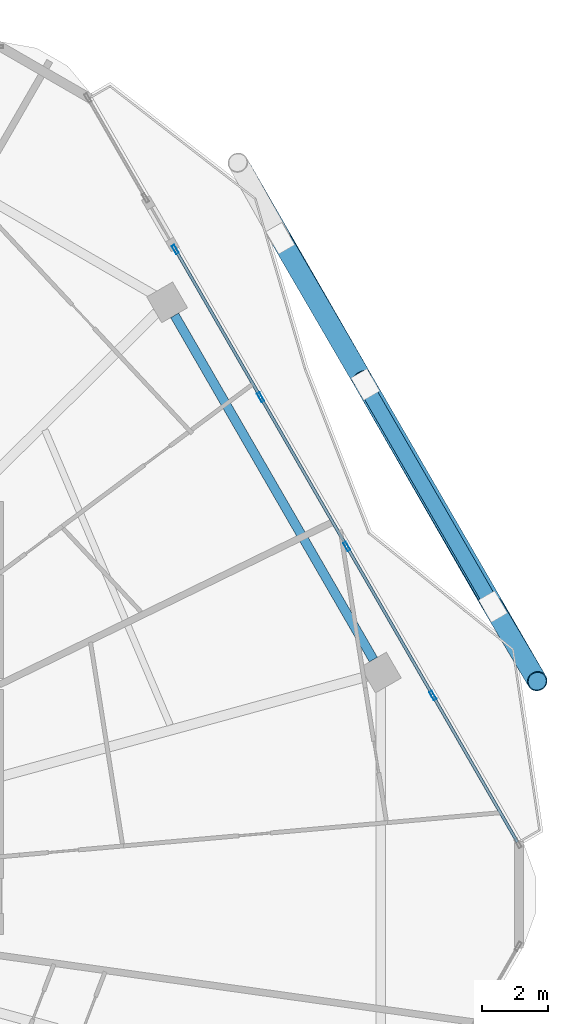
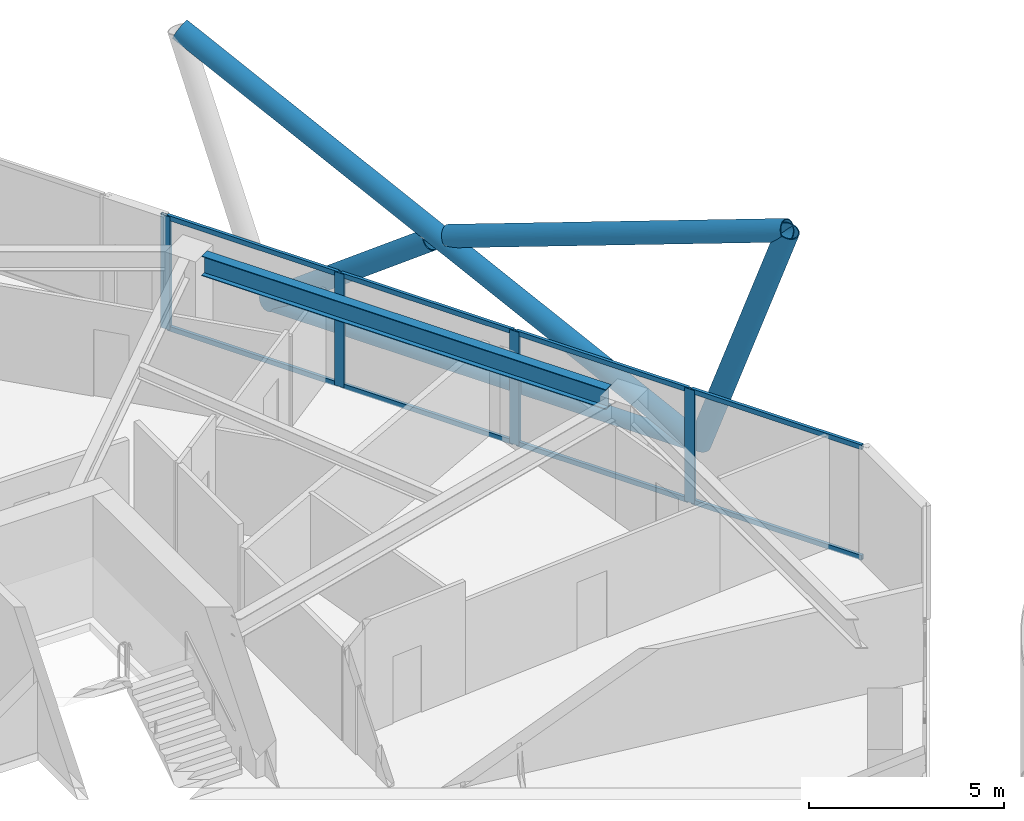
# One storey, part 17 of 27: 17 members, 1 beam, 1 element without a shape of its own.
"""IFC4 building model written with IfcOpenShell, lengths in metres."""

from ifc_helpers import new_model, si_unit, direction, frame, origin, origin_2d, place, context, subcontext, project, spatial, hollow_rectangle, hollow_circle, i_section, extrude, material, material_profile, profile_set, type_object, element, aggregate, save


model = new_model("IFC4")

# Units and contexts
model_context = context("Model", 3, precision=1e-05, world=origin(), true_north=direction((0.0, 1.0)))
body_context = subcontext(model_context, "Body", "Model", "MODEL_VIEW")
ifc_project = project(units=[si_unit("LENGTHUNIT", "METRE"), si_unit("AREAUNIT", "SQUARE_METRE"), si_unit("VOLUMEUNIT", "CUBIC_METRE"), si_unit("PLANEANGLEUNIT", "RADIAN"), si_unit("MASSUNIT", "GRAM", prefix="KILO")], contexts=[model_context])

# Site, building, storey
site_placement = place(None, origin())
site = spatial("IfcSite", under=ifc_project, at=site_placement, CompositionType="ELEMENT")
building_placement = place(site_placement, origin())
building = spatial("IfcBuilding", under=site, at=building_placement, Name="Zuhravey Tower", CompositionType="ELEMENT")
storey_placement = place(building_placement, frame((0.0, 0.0, 238.800048828125)))
storey = spatial("IfcBuildingStorey", under=building, at=storey_placement, Name="L60", CompositionType="ELEMENT", Elevation=238.800048828125)

# Curtain wall, members
ifc_material_1 = material(Name="Thermally broken anodised aluminium", Category="aluminium")
curtain_wall_type = type_object("IfcCurtainWallType", Name="Zone 3-4 High-Rise Curtain Wall CW4", PredefinedType="NOTDEFINED", material=ifc_material_1)
curtain_wall_placement = place(storey_placement, origin())
curtain_wall = element("IfcCurtainWall", 1, at=curtain_wall_placement, inside=storey, type_object=curtain_wall_type, Name="L60 CW4 CW-L60-F1-2", PredefinedType="NOTDEFINED")
ifc_material_2 = material(Name="Anodised aluminium", Category="aluminium")
ifc_material_profile_1 = material_profile(ifc_material_2, hollow_rectangle(XDim=0.090087890625, YDim=0.284912109375, WallThickness=0.0048828125, at=origin_2d()), Name="ALU-RHS-90x285x5")
ifc_profile_set_1 = profile_set([ifc_material_profile_1], Name="Anodised aluminium")
member_type_1 = type_object("IfcMemberType", Name="Curtain-Wall Mullion 90x180", PredefinedType="MULLION", material=ifc_profile_set_1)
member_1_placement = place(storey_placement, frame((54.288330078125, 51.45068359375, 0.0), z_axis=(0.0, 0.0, 1.0), x_axis=(0.866024178465, 0.50000212231, 0.0)))
member_1 = element("IfcMember", 2, at=member_1_placement, type_object=member_type_1, Name="CW4 mullion 1", PredefinedType="MULLION", context=body_context, shape_type="SweptSolid", body=[
    extrude(hollow_rectangle(XDim=0.090087890625, YDim=0.284912109375, WallThickness=0.0048828125, at=origin_2d()), origin(), (0.0, 0.0, 1.0), 3.550048828125),
])
member_2_placement = place(storey_placement, frame((56.860595703125, 46.995361328125, 0.0), z_axis=(0.0, 0.0, 1.0), x_axis=(0.866024178465, 0.50000212231, 0.0)))
member_2 = element("IfcMember", 3, at=member_2_placement, type_object=member_type_1, Name="CW4 mullion 2", PredefinedType="MULLION", context=body_context, shape_type="SweptSolid", body=[
    extrude(hollow_rectangle(XDim=0.090087890625, YDim=0.284912109375, WallThickness=0.0048828125, at=origin_2d()), origin(), (0.0, 0.0, 1.0), 3.550048828125),
])
member_3_placement = place(storey_placement, frame((59.45556640625, 42.501220703125, 0.0), z_axis=(0.0, 0.0, 1.0), x_axis=(0.866024178465, 0.50000212231, 0.0)))
member_3 = element("IfcMember", 4, at=member_3_placement, type_object=member_type_1, Name="CW4 mullion 3", PredefinedType="MULLION", context=body_context, shape_type="SweptSolid", body=[
    extrude(hollow_rectangle(XDim=0.090087890625, YDim=0.284912109375, WallThickness=0.0048828125, at=origin_2d()), origin(), (0.0, 0.0, 1.0), 3.550048828125),
])
member_4_placement = place(storey_placement, frame((62.05029296875, 38.0068359375, 0.0), z_axis=(0.0, 0.0, 1.0), x_axis=(0.866024178465, 0.50000212231, 0.0)))
member_4 = element("IfcMember", 5, at=member_4_placement, type_object=member_type_1, Name="CW4 mullion 4", PredefinedType="MULLION", context=body_context, shape_type="SweptSolid", body=[
    extrude(hollow_rectangle(XDim=0.090087890625, YDim=0.284912109375, WallThickness=0.0048828125, at=origin_2d()), origin(), (0.0, 0.0, 1.0), 3.550048828125),
])
ifc_material_profile_2 = material_profile(ifc_material_2, hollow_rectangle(XDim=0.090087890625, YDim=0.14990234375, WallThickness=0.0048828125, at=origin_2d()), Name="ALU-RHS-90x150x5")
ifc_profile_set_2 = profile_set([ifc_material_profile_2], Name="Anodised aluminium")
member_type_2 = type_object("IfcMemberType", Name="Curtain-Wall Transom 90x150", PredefinedType="USERDEFINED", material=ifc_profile_set_2)
member_5_placement = place(storey_placement, frame((54.310791015625, 51.411865234375, 0.044921875), z_axis=(0.500003972934, -0.866023109998, 0.0), x_axis=(0.866023109998, 0.500003972934, 0.0)))
member_5 = element("IfcMember", 6, at=member_5_placement, type_object=member_type_2, Name="CW4 transom 1.1", ObjectType="TRANSOM", PredefinedType="USERDEFINED", context=body_context, shape_type="SweptSolid", body=[
    extrude(hollow_rectangle(XDim=0.090087890625, YDim=0.14990234375, WallThickness=0.0048828125, at=origin_2d()), origin(), (0.0, 0.0, 1.0), 5.0546875),
])
member_6_placement = place(storey_placement, frame((54.310791015625, 51.411865234375, 3.5048828125), z_axis=(0.500003972934, -0.866023109998, 0.0), x_axis=(0.866023109998, 0.500003972934, 0.0)))
member_6 = element("IfcMember", 7, at=member_6_placement, type_object=member_type_2, Name="CW4 transom 1.2", ObjectType="TRANSOM", PredefinedType="USERDEFINED", context=body_context, shape_type="SweptSolid", body=[
    extrude(hollow_rectangle(XDim=0.090087890625, YDim=0.14990234375, WallThickness=0.0048828125, at=origin_2d()), origin(), (0.0, 0.0, 1.0), 5.0546875),
])
member_7_placement = place(storey_placement, frame((56.88330078125, 46.95654296875, 0.044921875), z_axis=(0.499990435942, -0.866030925526, 0.0), x_axis=(0.866030925526, 0.499990435942, 0.0)))
member_7 = element("IfcMember", 8, at=member_7_placement, type_object=member_type_2, Name="CW4 transom 2.1", ObjectType="TRANSOM", PredefinedType="USERDEFINED", context=body_context, shape_type="SweptSolid", body=[
    extrude(hollow_rectangle(XDim=0.090087890625, YDim=0.14990234375, WallThickness=0.0048828125, at=origin_2d()), origin(), (0.0, 0.0, 1.0), 5.099609375),
])
member_8_placement = place(storey_placement, frame((56.88330078125, 46.95654296875, 3.5048828125), z_axis=(0.499990435942, -0.866030925526, 0.0), x_axis=(0.866030925526, 0.499990435942, 0.0)))
member_8 = element("IfcMember", 9, at=member_8_placement, type_object=member_type_2, Name="CW4 transom 2.2", ObjectType="TRANSOM", PredefinedType="USERDEFINED", context=body_context, shape_type="SweptSolid", body=[
    extrude(hollow_rectangle(XDim=0.090087890625, YDim=0.14990234375, WallThickness=0.0048828125, at=origin_2d()), origin(), (0.0, 0.0, 1.0), 5.099609375),
])
member_9_placement = place(storey_placement, frame((59.47802734375, 42.462158203125, 0.044921875), z_axis=(0.499990435942, -0.866030925526, 0.0), x_axis=(0.866030925526, 0.499990435942, 0.0)))
member_9 = element("IfcMember", 10, at=member_9_placement, type_object=member_type_2, Name="CW4 transom 3.1", ObjectType="TRANSOM", PredefinedType="USERDEFINED", context=body_context, shape_type="SweptSolid", body=[
    extrude(hollow_rectangle(XDim=0.090087890625, YDim=0.14990234375, WallThickness=0.0048828125, at=origin_2d()), origin(), (0.0, 0.0, 1.0), 5.099609375),
])
member_10_placement = place(storey_placement, frame((59.47802734375, 42.462158203125, 3.5048828125), z_axis=(0.499990435942, -0.866030925526, 0.0), x_axis=(0.866030925526, 0.499990435942, 0.0)))
member_10 = element("IfcMember", 11, at=member_10_placement, type_object=member_type_2, Name="CW4 transom 3.2", ObjectType="TRANSOM", PredefinedType="USERDEFINED", context=body_context, shape_type="SweptSolid", body=[
    extrude(hollow_rectangle(XDim=0.090087890625, YDim=0.14990234375, WallThickness=0.0048828125, at=origin_2d()), origin(), (0.0, 0.0, 1.0), 5.099609375),
])
member_11_placement = place(storey_placement, frame((62.07275390625, 37.9677734375, 0.044921875), z_axis=(0.500003972934, -0.866023109998, 0.0), x_axis=(0.866023109998, 0.500003972934, 0.0)))
member_11 = element("IfcMember", 12, at=member_11_placement, type_object=member_type_2, Name="CW4 transom 4.1", ObjectType="TRANSOM", PredefinedType="USERDEFINED", context=body_context, shape_type="SweptSolid", body=[
    extrude(hollow_rectangle(XDim=0.090087890625, YDim=0.14990234375, WallThickness=0.0048828125, at=origin_2d()), origin(), (0.0, 0.0, 1.0), 5.0546875),
])
member_12_placement = place(storey_placement, frame((62.07275390625, 37.9677734375, 3.5048828125), z_axis=(0.500003972934, -0.866023109998, 0.0), x_axis=(0.866023109998, 0.500003972934, 0.0)))
member_12 = element("IfcMember", 13, at=member_12_placement, type_object=member_type_2, Name="CW4 transom 4.2", ObjectType="TRANSOM", PredefinedType="USERDEFINED", context=body_context, shape_type="SweptSolid", body=[
    extrude(hollow_rectangle(XDim=0.090087890625, YDim=0.14990234375, WallThickness=0.0048828125, at=origin_2d()), origin(), (0.0, 0.0, 1.0), 5.0546875),
])
aggregate(curtain_wall, [member_1, member_2, member_3, member_4, member_5, member_6, member_7, member_8, member_9, member_10, member_11, member_12])

# Members
ifc_material_3 = material(Name="Steel SM355", Category="steel")
ifc_material_profile_3 = material_profile(ifc_material_3, hollow_circle(Radius=0.228515625, WallThickness=0.02197265625, at=origin_2d()), Name="CHS-457.2x22")
ifc_profile_set_3 = profile_set([ifc_material_profile_3], Name="Steel SM355")
member_type_3 = type_object("IfcMemberType", Name="Exoskeleton Ring Tie CHS457x22", PredefinedType="CHORD", material=ifc_profile_set_3)
member_13_placement = place(storey_placement, frame((63.792724609375, 40.808837890625, -0.464111328125), z_axis=(-0.50000793057, 0.866020825019, 0.0), x_axis=(-0.866020825019, -0.50000793057, 0.0)))
element("IfcMember", 14, at=member_13_placement, inside=storey, type_object=member_type_3, Name="L60 Exoskeleton Face 1 Tie EXR1", PredefinedType="CHORD", context=body_context, shape_type="SweptSolid", body=[
    extrude(hollow_circle(Radius=0.228515625, WallThickness=0.02197265625, at=origin_2d()), origin(), (0.0, 0.0, 1.0), 12.535400390625),
])
ifc_material_profile_4 = material_profile(ifc_material_3, hollow_circle(Radius=0.3046875, WallThickness=0.028076171875, at=origin_2d()), Name="CHS-609.6x28")
ifc_profile_set_4 = profile_set([ifc_material_profile_4], Name="Steel SM355")
member_type_4 = type_object("IfcMemberType", Name="Exoskeleton Zone 3 Diagrid CHS610x28", PredefinedType="BRACE", material=ifc_profile_set_4)
member_14_placement = place(storey_placement, frame((63.865966796875, 40.682373046875, -0.446044921875), z_axis=(0.166232455223, -0.280532524471, 0.945340295102), x_axis=(0.860303693038, 0.50978187075, 0.0)))
element("IfcMember", 15, at=member_14_placement, inside=storey, type_object=member_type_4, Name="L60 Face 1 Diagrid Brace 1", PredefinedType="BRACE", context=body_context, shape_type="SweptSolid", body=[
    extrude(hollow_circle(Radius=0.3046875, WallThickness=0.028076171875, at=origin_2d()), origin(), (0.0, 0.0, 1.0), 8.001220703125),
])
member_15_placement = place(storey_placement, frame((63.844482421875, 40.71923828125, -0.446044921875), z_axis=(-0.447076260377, 0.777832000061, 0.441701479607), x_axis=(-0.866991611578, -0.498322732225, 0.0)))
element("IfcMember", 16, at=member_15_placement, inside=storey, type_object=member_type_4, Name="L60 Face 1 Diagrid Brace 2", PredefinedType="BRACE", context=body_context, shape_type="SweptSolid", body=[
    extrude(hollow_circle(Radius=0.3046875, WallThickness=0.028076171875, at=origin_2d()), origin(), (0.0, 0.0, 1.0), 17.12451171875),
])
member_16_placement = place(storey_placement, frame((57.471435546875, 51.7578125, -0.439697265625), z_axis=(0.402908889289, -0.693110321119, 0.597714404788), x_axis=(0.86454091155, 0.502562446127, 0.0)))
element("IfcMember", 17, at=member_16_placement, inside=storey, type_object=member_type_4, Name="L60 Face 1 Split Diagrid Brace 3A", PredefinedType="BRACE", context=body_context, shape_type="SweptSolid", body=[
    extrude(hollow_circle(Radius=0.3046875, WallThickness=0.028076171875, at=origin_2d()), origin(), (0.0, 0.0, 1.0), 6.02197265625),
])
member_17_placement = place(storey_placement, frame((60.1552734375, 47.139892578125, 3.437744140625), z_axis=(0.470489319459, -0.812189559828, 0.344946255497), x_axis=(0.865299535877, 0.501255137839, 0.0)))
element("IfcMember", 18, at=member_17_placement, inside=storey, type_object=member_type_4, Name="L60 Face 1 Split Diagrid Brace 3B", PredefinedType="BRACE", context=body_context, shape_type="SweptSolid", body=[
    extrude(hollow_circle(Radius=0.3046875, WallThickness=0.028076171875, at=origin_2d()), origin(), (0.0, 0.0, 1.0), 10.68017578125),
])

# Beam
ifc_material_profile_5 = material_profile(ifc_material_3, i_section(OverallWidth=0.280029296875, OverallDepth=0.6201171875, WebThickness=0.011962890625, FlangeThickness=0.02001953125, at=origin_2d()), Name="H-620x280x12x20")
ifc_profile_set_5 = profile_set([ifc_material_profile_5], Name="Steel SM355")
beam_type = type_object("IfcBeamType", Name="Perimeter Ring Beam H620x280", PredefinedType="BEAM", material=ifc_profile_set_5)
beam_placement = place(storey_placement, frame((60.258056640625, 39.09130859375, 3.239990234375), z_axis=(-0.500017744717, 0.866015158625, 0.0), x_axis=(-0.866015158625, -0.500017744717, 0.0)))
element("IfcBeam", 19, at=beam_placement, inside=storey, type_object=beam_type, Name="L60 PB3 BM-L60-PB-01", PredefinedType="BEAM", context=body_context, shape_type="SweptSolid", body=[
    extrude(i_section(OverallWidth=0.280029296875, OverallDepth=0.6201171875, WebThickness=0.011962890625, FlangeThickness=0.02001953125, at=origin_2d()), origin(), (0.0, 0.0, 1.0), 11.9755859375),
])

save(model, "model.ifc")
